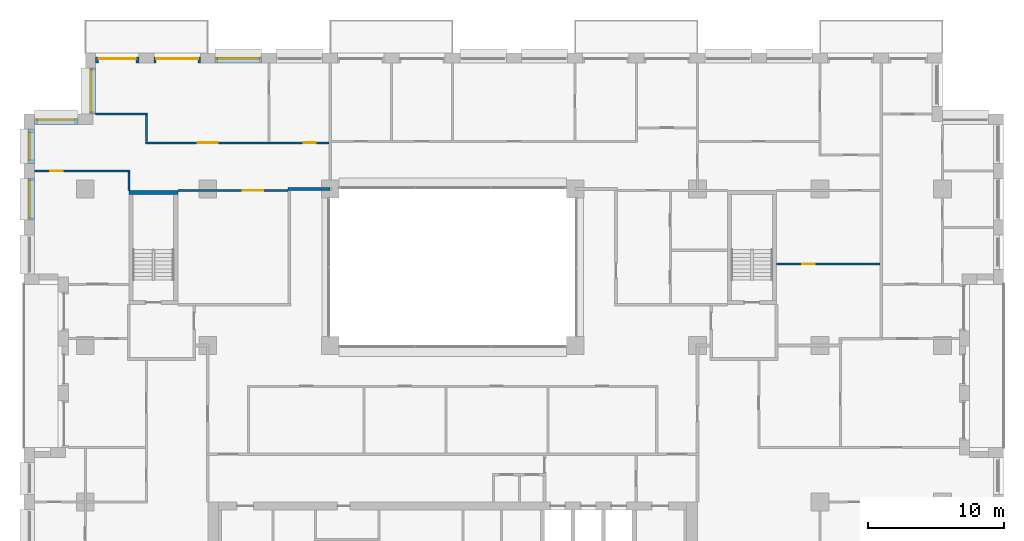
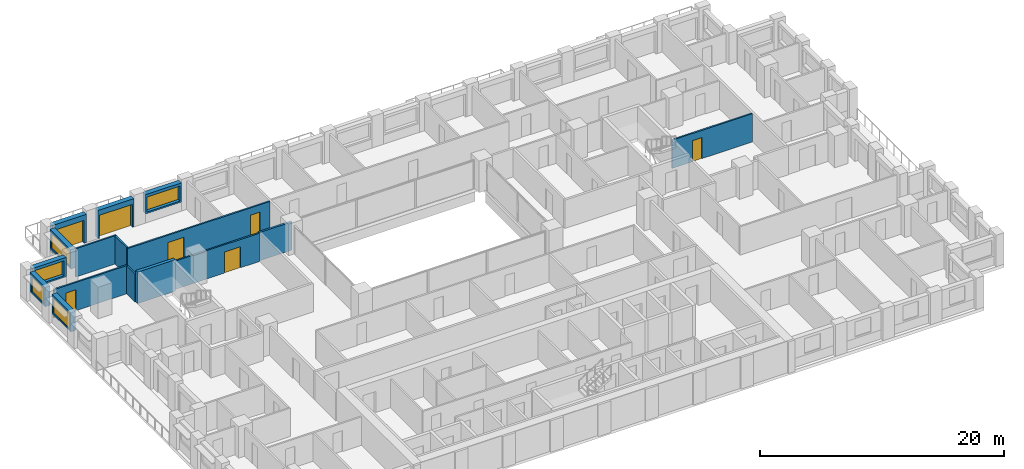
# One storey, part 12 of 16: 16 walls, 7 doors, 5 windows, 12 openings.
"""IFC4 building model written with IfcOpenShell, lengths in metres."""

from ifc_helpers import new_model, si_unit, direction, frame, frame_2d, origin, place, context, subcontext, project, spatial, rectangle, extrude, material, layer, layer_set, type_object, element, fill, save


model = new_model("IFC4")

# Units and contexts
model_context = context("Model", 3, precision=1e-05, world=origin(), true_north=direction((0.0, 1.0)))
body_context = subcontext(model_context, "Body", "Model", "MODEL_VIEW")
ifc_project = project(units=[si_unit("LENGTHUNIT", "METRE"), si_unit("AREAUNIT", "SQUARE_METRE"), si_unit("VOLUMEUNIT", "CUBIC_METRE"), si_unit("PLANEANGLEUNIT", "RADIAN"), si_unit("MASSUNIT", "GRAM", prefix="KILO")], contexts=[model_context])

# Site, building, storey
site_placement = place(None, origin())
site = spatial("IfcSite", under=ifc_project, at=site_placement, CompositionType="ELEMENT")
building_placement = place(site_placement, origin())
building = spatial("IfcBuilding", under=site, at=building_placement, Name="Brigalow Station Residences", CompositionType="ELEMENT")
storey_placement = place(building_placement, frame((0.0, 0.0, 115.050048828125)))
storey = spatial("IfcBuildingStorey", under=building, at=storey_placement, Name="L33", CompositionType="ELEMENT", Elevation=115.050048828125)

# Wall, opening, window
ifc_material_1 = material(Name="Clay brick masonry", Category="masonry")
ifc_layer_1 = layer(ifc_material_1, 0.449951171875)
ifc_layer_set_1 = layer_set([ifc_layer_1], Name="BRICK INFILL WALL 450")
wall_type_1 = type_object("IfcWallType", Name="BRICK INFILL WALL 450", PredefinedType="SOLIDWALL", material=ifc_layer_set_1)
wall_1_placement = place(storey_placement, frame((21.949951171875, 44.97509765625, 0.89990234375), z_axis=(0.0, 0.0, 1.0), x_axis=(-1.0, 0.0, 0.0)))
wall_1 = element("IfcWall", 1, at=wall_1_placement, inside=storey, type_object=wall_type_1, Name="L33/ewall/W-L33-34", PredefinedType="SOLIDWALL", context=body_context, shape_type="SweptSolid", body=[
    extrude(rectangle(XDim=3.39990234375, YDim=0.449951171875, at=frame_2d((1.699951171875, 0.0))), origin(), (0.0, 0.0, 1.0), 1.929931640625),
])
opening_1_placement = place(wall_1_placement, frame((0.14990234375, 0.0, 0.14990234375)))
opening_1 = element("IfcOpeningElement", 2, at=opening_1_placement, cuts=wall_1, Name="Opening WT-8", PredefinedType="OPENING", context=body_context, shape_type="SweptSolid", body=[
    extrude(rectangle(XDim=3.10009765625, YDim=1.5, at=frame_2d((1.550048828125, 0.75))), frame((0.0, 0.23486328125, 0.0), z_axis=(0.0, -1.0, 0.0), x_axis=(1.0, 0.0, 0.0)), (0.0, 0.0, 1.0), 0.469970703125),
])
ifc_material_2 = material(Name="Anodised aluminium frame with double glazing", Category="aluminium")
window_type_1 = type_object("IfcWindowType", Name="WINDOW 3100x1500", PartitioningType="SINGLE_PANEL", PredefinedType="WINDOW", material=ifc_material_2)
window_1_placement = place(opening_1_placement, origin())
window_1 = element("IfcWindow", 3, at=window_1_placement, inside=storey, type_object=window_type_1, Name="L33/window/W-L33-34", OverallHeight=1.5, OverallWidth=3.10009765625, PartitioningType="SINGLE_PANEL", PredefinedType="WINDOW", context=body_context, shape_type="SweptSolid", body=[
    extrude(rectangle(XDim=3.10009765625, YDim=1.5, at=frame_2d((1.550048828125, 0.75))), frame((0.0, -0.06494140625, 0.0), z_axis=(0.0, -1.0, 0.0), x_axis=(1.0, 0.0, 0.0)), (0.0, 0.0, 1.0), 0.06005859375),
])
fill(opening_1, window_1)

# Wall, opening, door
wall_2_placement = place(storey_placement, frame((17.449951171875, 44.97509765625, 0.0), z_axis=(0.0, 0.0, 1.0), x_axis=(-1.0, 0.0, 0.0)))
wall_2 = element("IfcWall", 4, at=wall_2_placement, inside=storey, type_object=wall_type_1, Name="L33/ewall/W-L33-35", PredefinedType="SOLIDWALL", context=body_context, shape_type="SweptSolid", body=[
    extrude(rectangle(XDim=3.39990234375, YDim=0.449951171875, at=frame_2d((1.699951171875, 0.0))), origin(), (0.0, 0.0, 1.0), 2.829833984375),
])
opening_2_placement = place(wall_2_placement, frame((0.14990234375, 0.0, 0.0)))
opening_2 = element("IfcOpeningElement", 5, at=opening_2_placement, cuts=wall_2, Name="Opening D-B3100", PredefinedType="OPENING", context=body_context, shape_type="SweptSolid", body=[
    extrude(rectangle(XDim=3.10009765625, YDim=2.300048828125, at=frame_2d((1.550048828125, 1.14990234375))), frame((0.0, 0.23486328125, 0.0), z_axis=(0.0, -1.0, 0.0), x_axis=(1.0, 0.0, 0.0)), (0.0, 0.0, 1.0), 0.469970703125),
])
ifc_material_3 = material(Name="Anodised aluminium frame with double glazing", Category="aluminium")
door_type_1 = type_object("IfcDoorType", Name="BALCONY SLIDING DOOR 3100x2300", OperationType="SLIDING_TO_LEFT", PredefinedType="DOOR", material=ifc_material_3)
door_1_placement = place(opening_2_placement, origin())
door_1 = element("IfcDoor", 6, at=door_1_placement, inside=storey, type_object=door_type_1, Name="L33/balcony-door/W-L33-35", OperationType="SLIDING_TO_LEFT", OverallHeight=2.300048828125, OverallWidth=3.10009765625, PredefinedType="DOOR", context=body_context, shape_type="SweptSolid", body=[
    extrude(rectangle(XDim=3.10009765625, YDim=2.300048828125, at=frame_2d((1.550048828125, 1.14990234375))), frame((0.0, -0.06982421875, 0.0), z_axis=(0.0, -1.0, 0.0), x_axis=(1.0, 0.0, 0.0)), (0.0, 0.0, 1.0), 0.050048828125),
])
fill(opening_2, door_1)

wall_3_placement = place(storey_placement, frame((12.949951171875, 44.97509765625, 0.0), z_axis=(0.0, 0.0, 1.0), x_axis=(-1.0, 0.0, 0.0)))
wall_3 = element("IfcWall", 7, at=wall_3_placement, inside=storey, type_object=wall_type_1, Name="L33/ewall/W-L33-36", PredefinedType="SOLIDWALL", context=body_context, shape_type="SweptSolid", body=[
    extrude(rectangle(XDim=3.199951171875, YDim=0.449951171875, at=frame_2d((1.60009765625, 0.0))), origin(), (0.0, 0.0, 1.0), 2.829833984375),
])
opening_3_placement = place(wall_3_placement, frame((0.22509765625, 0.0, 0.0)))
opening_3 = element("IfcOpeningElement", 8, at=opening_3_placement, cuts=wall_3, Name="Opening D-B2750", PredefinedType="OPENING", context=body_context, shape_type="SweptSolid", body=[
    extrude(rectangle(XDim=2.75, YDim=2.300048828125, at=frame_2d((1.375, 1.14990234375))), frame((0.0, 0.23486328125, 0.0), z_axis=(0.0, -1.0, 0.0), x_axis=(1.0, 0.0, 0.0)), (0.0, 0.0, 1.0), 0.469970703125),
])
ifc_material_4 = material(Name="Anodised aluminium frame with double glazing", Category="aluminium")
door_type_2 = type_object("IfcDoorType", Name="BALCONY SLIDING DOOR 2750x2300", OperationType="SLIDING_TO_LEFT", PredefinedType="DOOR", material=ifc_material_4)
door_2_placement = place(opening_3_placement, origin())
door_2 = element("IfcDoor", 9, at=door_2_placement, inside=storey, type_object=door_type_2, Name="L33/balcony-door/W-L33-36", OperationType="SLIDING_TO_LEFT", OverallHeight=2.300048828125, OverallWidth=2.75, PredefinedType="DOOR", context=body_context, shape_type="SweptSolid", body=[
    extrude(rectangle(XDim=2.75, YDim=2.300048828125, at=frame_2d((1.375, 1.14990234375))), frame((0.0, -0.06982421875, 0.0), z_axis=(0.0, -1.0, 0.0), x_axis=(1.0, 0.0, 0.0)), (0.0, 0.0, 1.0), 0.050048828125),
])
fill(opening_3, door_2)

# Wall, opening, window
wall_4_placement = place(storey_placement, frame((9.52490234375, 44.39990234375, 0.89990234375), z_axis=(0.0, 0.0, 1.0), x_axis=(0.0, -1.0, 0.0)))
wall_4 = element("IfcWall", 10, at=wall_4_placement, inside=storey, type_object=wall_type_1, Name="L33/ewall/W-L33-37", PredefinedType="SOLIDWALL", context=body_context, shape_type="SweptSolid", body=[
    extrude(rectangle(XDim=3.39990234375, YDim=0.449951171875, at=frame_2d((1.699951171875, 0.0))), origin(), (0.0, 0.0, 1.0), 1.929931640625),
])
opening_4_placement = place(wall_4_placement, frame((0.14990234375, 0.0, 0.14990234375)))
opening_4 = element("IfcOpeningElement", 11, at=opening_4_placement, cuts=wall_4, Name="Opening WT-8", PredefinedType="OPENING", context=body_context, shape_type="SweptSolid", body=[
    extrude(rectangle(XDim=3.10009765625, YDim=1.5, at=frame_2d((1.550048828125, 0.75))), frame((0.0, 0.23486328125, 0.0), z_axis=(0.0, -1.0, 0.0), x_axis=(1.0, 0.0, 0.0)), (0.0, 0.0, 1.0), 0.469970703125),
])
window_2_placement = place(opening_4_placement, origin())
window_2 = element("IfcWindow", 12, at=window_2_placement, inside=storey, type_object=window_type_1, Name="L33/window/W-L33-37", OverallHeight=1.5, OverallWidth=3.10009765625, PartitioningType="SINGLE_PANEL", PredefinedType="WINDOW", context=body_context, shape_type="SweptSolid", body=[
    extrude(rectangle(XDim=3.10009765625, YDim=1.5, at=frame_2d((1.550048828125, 0.75))), frame((0.0, -0.06494140625, 0.0), z_axis=(0.0, -1.0, 0.0), x_axis=(1.0, 0.0, 0.0)), (0.0, 0.0, 1.0), 0.06005859375),
])
fill(opening_4, window_2)

wall_5_placement = place(storey_placement, frame((8.449951171875, 40.47509765625, 0.89990234375), z_axis=(0.0, 0.0, 1.0), x_axis=(-1.0, 0.0, 0.0)))
wall_5 = element("IfcWall", 13, at=wall_5_placement, inside=storey, type_object=wall_type_1, Name="L33/ewall/W-L33-38", PredefinedType="SOLIDWALL", context=body_context, shape_type="SweptSolid", body=[
    extrude(rectangle(XDim=3.199951171875, YDim=0.449951171875, at=frame_2d((1.60009765625, 0.0))), origin(), (0.0, 0.0, 1.0), 1.929931640625),
])
opening_5_placement = place(wall_5_placement, frame((0.22509765625, 0.0, 0.14990234375)))
opening_5 = element("IfcOpeningElement", 14, at=opening_5_placement, cuts=wall_5, Name="Opening WT-3", PredefinedType="OPENING", context=body_context, shape_type="SweptSolid", body=[
    extrude(rectangle(XDim=2.75, YDim=1.5, at=frame_2d((1.375, 0.75))), frame((0.0, 0.23486328125, 0.0), z_axis=(0.0, -1.0, 0.0), x_axis=(1.0, 0.0, 0.0)), (0.0, 0.0, 1.0), 0.469970703125),
])
ifc_material_5 = material(Name="Anodised aluminium frame with double glazing", Category="aluminium")
window_type_2 = type_object("IfcWindowType", Name="WINDOW 2750x1500", PartitioningType="SINGLE_PANEL", PredefinedType="WINDOW", material=ifc_material_5)
window_3_placement = place(opening_5_placement, origin())
window_3 = element("IfcWindow", 15, at=window_3_placement, inside=storey, type_object=window_type_2, Name="L33/window/W-L33-38", OverallHeight=1.5, OverallWidth=2.75, PartitioningType="SINGLE_PANEL", PredefinedType="WINDOW", context=body_context, shape_type="SweptSolid", body=[
    extrude(rectangle(XDim=2.75, YDim=1.5, at=frame_2d((1.375, 0.75))), frame((0.0, -0.06494140625, 0.0), z_axis=(0.0, -1.0, 0.0), x_axis=(1.0, 0.0, 0.0)), (0.0, 0.0, 1.0), 0.06005859375),
])
fill(opening_5, window_3)

wall_6_placement = place(storey_placement, frame((5.02490234375, 39.89990234375, 0.89990234375), z_axis=(0.0, 0.0, 1.0), x_axis=(0.0, -1.0, 0.0)))
wall_6 = element("IfcWall", 16, at=wall_6_placement, inside=storey, type_object=wall_type_1, Name="L33/ewall/W-L33-39", PredefinedType="SOLIDWALL", context=body_context, shape_type="SweptSolid", body=[
    extrude(rectangle(XDim=2.516845703125, YDim=0.449951171875, at=frame_2d((1.25830078125, 0.0))), origin(), (0.0, 0.0, 1.0), 1.929931640625),
])
opening_6_placement = place(wall_6_placement, frame((0.258544921875, 0.0, 0.14990234375)))
opening_6 = element("IfcOpeningElement", 17, at=opening_6_placement, cuts=wall_6, Name="Opening WT-7", PredefinedType="OPENING", context=body_context, shape_type="SweptSolid", body=[
    extrude(rectangle(XDim=2.0, YDim=1.5, at=frame_2d((1.0, 0.75))), frame((0.0, 0.23486328125, 0.0), z_axis=(0.0, -1.0, 0.0), x_axis=(1.0, 0.0, 0.0)), (0.0, 0.0, 1.0), 0.469970703125),
])
ifc_material_6 = material(Name="Anodised aluminium frame with double glazing", Category="aluminium")
window_type_3 = type_object("IfcWindowType", Name="WINDOW 2000x1500", PartitioningType="SINGLE_PANEL", PredefinedType="WINDOW", material=ifc_material_6)
window_4_placement = place(opening_6_placement, origin())
window_4 = element("IfcWindow", 18, at=window_4_placement, inside=storey, type_object=window_type_3, Name="L33/window/W-L33-39", OverallHeight=1.5, OverallWidth=2.0, PartitioningType="SINGLE_PANEL", PredefinedType="WINDOW", context=body_context, shape_type="SweptSolid", body=[
    extrude(rectangle(XDim=2.0, YDim=1.5, at=frame_2d((1.0, 0.75))), frame((0.0, -0.06494140625, 0.0), z_axis=(0.0, -1.0, 0.0), x_axis=(1.0, 0.0, 0.0)), (0.0, 0.0, 1.0), 0.06005859375),
])
fill(opening_6, window_4)

wall_7_placement = place(storey_placement, frame((5.02490234375, 36.282958984375, 0.89990234375), z_axis=(0.0, 0.0, 1.0), x_axis=(0.0, -1.0, 0.0)))
wall_7 = element("IfcWall", 19, at=wall_7_placement, inside=storey, type_object=wall_type_1, Name="L33/ewall/W-L33-40", PredefinedType="SOLIDWALL", context=body_context, shape_type="SweptSolid", body=[
    extrude(rectangle(XDim=3.06591796875, YDim=0.449951171875, at=frame_2d((1.532958984375, 0.0))), origin(), (0.0, 0.0, 1.0), 1.929931640625),
])
opening_7_placement = place(wall_7_placement, frame((0.157958984375, 0.0, 0.14990234375)))
opening_7 = element("IfcOpeningElement", 20, at=opening_7_placement, cuts=wall_7, Name="Opening WT-3", PredefinedType="OPENING", context=body_context, shape_type="SweptSolid", body=[
    extrude(rectangle(XDim=2.75, YDim=1.5, at=frame_2d((1.375, 0.75))), frame((0.0, 0.23486328125, 0.0), z_axis=(0.0, -1.0, 0.0), x_axis=(1.0, 0.0, 0.0)), (0.0, 0.0, 1.0), 0.469970703125),
])
window_5_placement = place(opening_7_placement, origin())
window_5 = element("IfcWindow", 21, at=window_5_placement, inside=storey, type_object=window_type_2, Name="L33/window/W-L33-40", OverallHeight=1.5, OverallWidth=2.75, PartitioningType="SINGLE_PANEL", PredefinedType="WINDOW", context=body_context, shape_type="SweptSolid", body=[
    extrude(rectangle(XDim=2.75, YDim=1.5, at=frame_2d((1.375, 0.75))), frame((0.0, -0.06494140625, 0.0), z_axis=(0.0, -1.0, 0.0), x_axis=(1.0, 0.0, 0.0)), (0.0, 0.0, 1.0), 0.06005859375),
])
fill(opening_7, window_5)

# Wall
ifc_material_7 = material(Name="Concrete C65", Category="concrete")
ifc_layer_2 = layer(ifc_material_7, 0.300048828125)
ifc_layer_set_2 = layer_set([ifc_layer_2], Name="CORE SHEAR WALL 300 C65")
wall_type_2 = type_object("IfcWallType", Name="CORE SHEAR WALL 300 C65", PredefinedType="SHEAR", material=ifc_layer_set_2)
wall_8_placement = place(storey_placement, frame((12.199951171875, 35.25, 0.0), z_axis=(0.0, 0.0, 1.0), x_axis=(1.0, 0.0, 0.0)))
element("IfcWall", 22, at=wall_8_placement, inside=storey, type_object=wall_type_2, Name="CORE WALL ST-S1-N L33", PredefinedType="SHEAR", context=body_context, shape_type="SweptSolid", body=[
    extrude(rectangle(XDim=3.60009765625, YDim=0.300048828125, at=frame_2d((1.800048828125, 0.0))), origin(), (0.0, 0.0, 1.0), 3.14990234375),
])

# Wall, opening, door
ifc_material_8 = material(Name="Plasterboard on steel stud partition", Category="steel")
ifc_layer_3 = layer(ifc_material_8, 0.14990234375)
ifc_layer_set_3 = layer_set([ifc_layer_3], Name="FLAT PARTITION 150")
wall_type_3 = type_object("IfcWallType", Name="FLAT PARTITION 150", PredefinedType="PARTITIONING", material=ifc_layer_set_3)
wall_9_placement = place(storey_placement, frame((5.25, 36.8330078125, 0.0), z_axis=(0.0, 0.0, 1.0), x_axis=(1.0, 0.0, 0.0)))
wall_9 = element("IfcWall", 23, at=wall_9_placement, inside=storey, type_object=wall_type_3, Name="PW-2D21", PredefinedType="PARTITIONING", context=body_context, shape_type="SweptSolid", body=[
    extrude(rectangle(XDim=7.02490234375, YDim=0.14990234375, at=frame_2d((3.512451171875, 0.0))), origin(), (0.0, 0.0, 1.0), 2.829833984375),
])
opening_8_placement = place(wall_9_placement, frame((1.175048828125, 0.0, 0.0)))
opening_8 = element("IfcOpeningElement", 24, at=opening_8_placement, cuts=wall_9, Name="Opening D-2D12", PredefinedType="OPENING", context=body_context, shape_type="SweptSolid", body=[
    extrude(rectangle(XDim=0.89990234375, YDim=2.10009765625, at=frame_2d((0.449951171875, 1.050048828125))), frame((0.0, 0.0849609375, 0.0), z_axis=(0.0, -1.0, 0.0), x_axis=(1.0, 0.0, 0.0)), (0.0, 0.0, 1.0), 0.169921875),
])
ifc_material_9 = material(Name="Solid-core timber door leaf", Category="wood")
door_type_3 = type_object("IfcDoorType", Name="INTERNAL DOOR 900 x 2100", OperationType="SINGLE_SWING_LEFT", PredefinedType="DOOR", material=ifc_material_9)
door_3_placement = place(opening_8_placement, frame((0.89990234375, 0.0, 0.0), z_axis=(0.0, 0.0, 1.0), x_axis=(-1.0, 0.0, 0.0)))
door_3 = element("IfcDoor", 25, at=door_3_placement, inside=storey, type_object=door_type_3, Name="D-2D12", OperationType="SINGLE_SWING_RIGHT", OverallHeight=2.10009765625, OverallWidth=0.89990234375, PredefinedType="DOOR", context=body_context, shape_type="SweptSolid", body=[
    extrude(rectangle(XDim=0.89990234375, YDim=2.10009765625, at=frame_2d((0.449951171875, 1.050048828125))), frame((0.0, 0.02490234375, 0.0), z_axis=(0.0, -1.0, 0.0), x_axis=(1.0, 0.0, 0.0)), (0.0, 0.0, 1.0), 0.050048828125),
])
fill(opening_8, door_3)

# Wall, openings, doors
wall_10_placement = place(storey_placement, frame((13.425048828125, 38.89990234375, 0.0), z_axis=(0.0, 0.0, 1.0), x_axis=(1.0, 0.0, 0.0)))
wall_10 = element("IfcWall", 26, at=wall_10_placement, inside=storey, type_object=wall_type_3, Name="PW-2D23", PredefinedType="PARTITIONING", context=body_context, shape_type="SweptSolid", body=[
    extrude(rectangle(XDim=13.474853515625, YDim=0.14990234375, at=frame_2d((6.7373046875, 0.0))), origin(), (0.0, 0.0, 1.0), 2.829833984375),
])
opening_9_placement = place(wall_10_placement, frame((3.824951171875, 0.0, 0.0)))
opening_9 = element("IfcOpeningElement", 27, at=opening_9_placement, cuts=wall_10, Name="Opening D-2D13", PredefinedType="OPENING", context=body_context, shape_type="SweptSolid", body=[
    extrude(rectangle(XDim=1.5, YDim=2.10009765625, at=frame_2d((0.75, 1.050048828125))), frame((0.0, 0.0849609375, 0.0), z_axis=(0.0, -1.0, 0.0), x_axis=(1.0, 0.0, 0.0)), (0.0, 0.0, 1.0), 0.169921875),
])
opening_10_placement = place(wall_10_placement, frame((11.625, 0.0, 0.0)))
opening_10 = element("IfcOpeningElement", 28, at=opening_10_placement, cuts=wall_10, Name="Opening D-2D15", PredefinedType="OPENING", context=body_context, shape_type="SweptSolid", body=[
    extrude(rectangle(XDim=0.89990234375, YDim=2.10009765625, at=frame_2d((0.449951171875, 1.050048828125))), frame((0.0, 0.0849609375, 0.0), z_axis=(0.0, -1.0, 0.0), x_axis=(1.0, 0.0, 0.0)), (0.0, 0.0, 1.0), 0.169921875),
])
door_4_placement = place(opening_10_placement, origin())
door_4 = element("IfcDoor", 29, at=door_4_placement, inside=storey, type_object=door_type_3, Name="D-2D15", OperationType="SINGLE_SWING_RIGHT", OverallHeight=2.10009765625, OverallWidth=0.89990234375, PredefinedType="DOOR", context=body_context, shape_type="SweptSolid", body=[
    extrude(rectangle(XDim=0.89990234375, YDim=2.10009765625, at=frame_2d((0.449951171875, 1.050048828125))), frame((0.0, 0.02490234375, 0.0), z_axis=(0.0, -1.0, 0.0), x_axis=(1.0, 0.0, 0.0)), (0.0, 0.0, 1.0), 0.050048828125),
])
fill(opening_10, door_4)
ifc_material_10 = material(Name="Solid-core timber door leaf", Category="wood")
door_type_4 = type_object("IfcDoorType", Name="INTERNAL DOUBLE DOOR 1500 x 2100", OperationType="DOUBLE_DOOR_SINGLE_SWING", PredefinedType="DOOR", material=ifc_material_10)
door_5_placement = place(opening_9_placement, origin())
door_5 = element("IfcDoor", 30, at=door_5_placement, inside=storey, type_object=door_type_4, Name="D-2D13", OperationType="DOUBLE_DOOR_SINGLE_SWING", OverallHeight=2.10009765625, OverallWidth=1.5, PredefinedType="DOOR", context=body_context, shape_type="SweptSolid", body=[
    extrude(rectangle(XDim=1.5, YDim=2.10009765625, at=frame_2d((0.75, 1.050048828125))), frame((0.0, 0.02490234375, 0.0), z_axis=(0.0, -1.0, 0.0), x_axis=(1.0, 0.0, 0.0)), (0.0, 0.0, 1.0), 0.050048828125),
])
fill(opening_9, door_5)

# Wall, opening, door
wall_11_placement = place(storey_placement, frame((15.800048828125, 35.39990234375, 0.0), z_axis=(0.0, 0.0, 1.0), x_axis=(1.0, 0.0, 0.0)))
wall_11 = element("IfcWall", 31, at=wall_11_placement, inside=storey, type_object=wall_type_3, Name="PW-2D24", PredefinedType="PARTITIONING", context=body_context, shape_type="SweptSolid", body=[
    extrude(rectangle(XDim=8.099853515625, YDim=0.14990234375, at=frame_2d((4.0498046875, 0.0))), origin(), (0.0, 0.0, 1.0), 2.829833984375),
])
opening_11_placement = place(wall_11_placement, frame((4.77490234375, 0.0, 0.0)))
opening_11 = element("IfcOpeningElement", 32, at=opening_11_placement, cuts=wall_11, Name="Opening D-2D16", PredefinedType="OPENING", context=body_context, shape_type="SweptSolid", body=[
    extrude(rectangle(XDim=1.5, YDim=2.10009765625, at=frame_2d((0.75, 1.050048828125))), frame((0.0, 0.0849609375, 0.0), z_axis=(0.0, -1.0, 0.0), x_axis=(1.0, 0.0, 0.0)), (0.0, 0.0, 1.0), 0.169921875),
])
door_6_placement = place(opening_11_placement, frame((1.5, 0.0, 0.0), z_axis=(0.0, 0.0, 1.0), x_axis=(-1.0, 0.0, 0.0)))
door_6 = element("IfcDoor", 33, at=door_6_placement, inside=storey, type_object=door_type_4, Name="D-2D16", OperationType="DOUBLE_DOOR_SINGLE_SWING", OverallHeight=2.10009765625, OverallWidth=1.5, PredefinedType="DOOR", context=body_context, shape_type="SweptSolid", body=[
    extrude(rectangle(XDim=1.5, YDim=2.10009765625, at=frame_2d((0.75, 1.050048828125))), frame((0.0, 0.02490234375, 0.0), z_axis=(0.0, -1.0, 0.0), x_axis=(1.0, 0.0, 0.0)), (0.0, 0.0, 1.0), 0.050048828125),
])
fill(opening_11, door_6)

# Wall
wall_12_placement = place(storey_placement, frame((9.75, 41.0, 0.0), z_axis=(0.0, 0.0, 1.0), x_axis=(1.0, 0.0, 0.0)))
element("IfcWall", 34, at=wall_12_placement, inside=storey, type_object=wall_type_3, Name="PW-2D27", PredefinedType="PARTITIONING", context=body_context, shape_type="SweptSolid", body=[
    extrude(rectangle(XDim=3.824951171875, YDim=0.14990234375, at=frame_2d((1.91259765625, 0.0))), origin(), (0.0, 0.0, 1.0), 2.829833984375),
])

# Wall, opening, door
wall_13_placement = place(storey_placement, frame((59.800048828125, 30.0, 0.0), z_axis=(0.0, 0.0, 1.0), x_axis=(1.0, 0.0, 0.0)))
wall_13 = element("IfcWall", 35, at=wall_13_placement, inside=storey, type_object=wall_type_3, Name="PW-2D34", PredefinedType="PARTITIONING", context=body_context, shape_type="SweptSolid", body=[
    extrude(rectangle(XDim=7.599853515625, YDim=0.14990234375, at=frame_2d((3.7998046875, 0.0))), origin(), (0.0, 0.0, 1.0), 2.829833984375),
])
opening_12_placement = place(wall_13_placement, frame((1.89990234375, 0.0, 0.0)))
opening_12 = element("IfcOpeningElement", 36, at=opening_12_placement, cuts=wall_13, Name="Opening D-2D31", PredefinedType="OPENING", context=body_context, shape_type="SweptSolid", body=[
    extrude(rectangle(XDim=0.89990234375, YDim=2.10009765625, at=frame_2d((0.449951171875, 1.050048828125))), frame((0.0, 0.0849609375, 0.0), z_axis=(0.0, -1.0, 0.0), x_axis=(1.0, 0.0, 0.0)), (0.0, 0.0, 1.0), 0.169921875),
])
door_7_placement = place(opening_12_placement, frame((0.89990234375, 0.0, 0.0), z_axis=(0.0, 0.0, 1.0), x_axis=(-1.0, 0.0, 0.0)))
door_7 = element("IfcDoor", 37, at=door_7_placement, inside=storey, type_object=door_type_3, Name="D-2D31", OperationType="SINGLE_SWING_RIGHT", OverallHeight=2.10009765625, OverallWidth=0.89990234375, PredefinedType="DOOR", context=body_context, shape_type="SweptSolid", body=[
    extrude(rectangle(XDim=0.89990234375, YDim=2.10009765625, at=frame_2d((0.449951171875, 1.050048828125))), frame((0.0, 0.02490234375, 0.0), z_axis=(0.0, -1.0, 0.0), x_axis=(1.0, 0.0, 0.0)), (0.0, 0.0, 1.0), 0.050048828125),
])
fill(opening_12, door_7)

# Walls
wall_14_placement = place(storey_placement, frame((13.5, 38.97509765625, 0.0), z_axis=(0.0, 0.0, 1.0), x_axis=(0.0, 1.0, 0.0)))
element("IfcWall", 38, at=wall_14_placement, inside=storey, type_object=wall_type_3, Name="PW-2D49", PredefinedType="PARTITIONING", context=body_context, shape_type="SweptSolid", body=[
    extrude(rectangle(XDim=1.949951171875, YDim=0.14990234375, at=frame_2d((0.97509765625, 0.0))), origin(), (0.0, 0.0, 1.0), 2.829833984375),
])
wall_15_placement = place(storey_placement, frame((12.199951171875, 35.39990234375, 0.0), z_axis=(0.0, 0.0, 1.0), x_axis=(0.0, 1.0, 0.0)))
element("IfcWall", 39, at=wall_15_placement, inside=storey, type_object=wall_type_3, Name="PW-2D50", PredefinedType="PARTITIONING", context=body_context, shape_type="SweptSolid", body=[
    extrude(rectangle(XDim=1.358154296875, YDim=0.14990234375, at=frame_2d((0.67919921875, 0.0))), origin(), (0.0, 0.0, 1.0), 2.829833984375),
])
ifc_material_11 = material(Name="Plasterboard on steel stud partition", Category="steel")
ifc_layer_4 = layer(ifc_material_11, 0.199951171875)
ifc_layer_set_4 = layer_set([ifc_layer_4], Name="PARTY AND CORRIDOR WALL 200")
wall_type_4 = type_object("IfcWallType", Name="PARTY AND CORRIDOR WALL 200", PredefinedType="PARTITIONING", material=ifc_layer_set_4)
wall_16_placement = place(storey_placement, frame((23.89990234375, 35.5, 0.0), z_axis=(0.0, 0.0, 1.0), x_axis=(1.0, 0.0, 0.0)))
element("IfcWall", 40, at=wall_16_placement, inside=storey, type_object=wall_type_4, Name="PW-2D07", PredefinedType="PARTITIONING", context=body_context, shape_type="SweptSolid", body=[
    extrude(rectangle(XDim=3.10009765625, YDim=0.199951171875, at=frame_2d((1.550048828125, 0.0))), origin(), (0.0, 0.0, 1.0), 2.829833984375),
])

save(model, "model.ifc")
